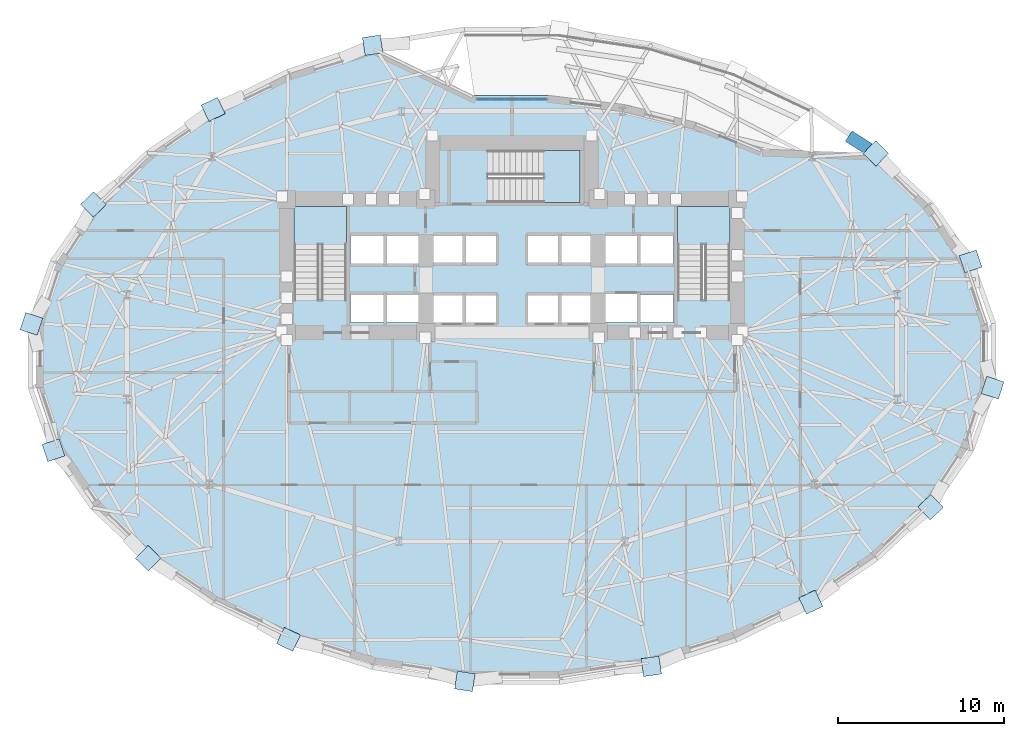
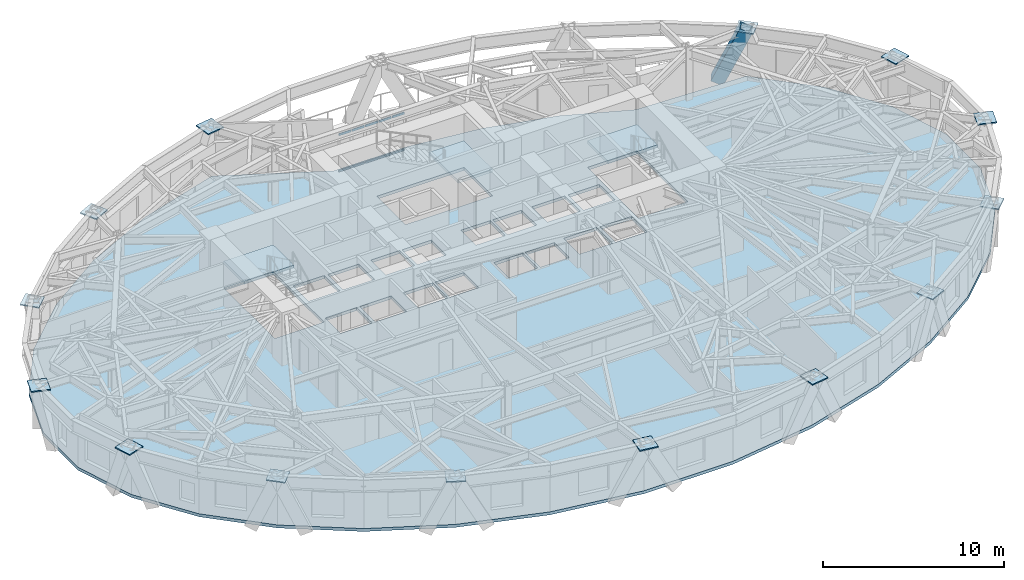
# One storey, part 6 of 15: 14 plates, 11 members, 4 slabs, 4 elements without a shape of their own.
"""IFC4 building model written with IfcOpenShell, lengths in metres."""

from ifc_helpers import new_model, si_unit, direction, frame, origin, origin_2d, place, context, subcontext, project, spatial, polyline, rectangle, hollow_rectangle, outline, extrude, material, layer, layer_set, material_profile, profile_set, type_object, element, aggregate, save


model = new_model("IFC4")

# Units and contexts
model_context = context("Model", 3, precision=1e-05, world=origin(), true_north=direction((0.0, 1.0)))
body_context = subcontext(model_context, "Body", "Model", "MODEL_VIEW")
ifc_project = project(units=[si_unit("LENGTHUNIT", "METRE"), si_unit("AREAUNIT", "SQUARE_METRE"), si_unit("VOLUMEUNIT", "CUBIC_METRE"), si_unit("PLANEANGLEUNIT", "RADIAN"), si_unit("MASSUNIT", "GRAM", prefix="KILO")], contexts=[model_context])

# Site, building, storey
site_placement = place(None, origin())
site = spatial("IfcSite", under=ifc_project, at=site_placement, CompositionType="ELEMENT")
building_placement = place(site_placement, origin())
building = spatial("IfcBuilding", under=site, at=building_placement, Name="Keldmark Tower", CompositionType="ELEMENT")
storey_placement = place(building_placement, frame((0.0, 0.0, 55.800048828125)))
storey = spatial("IfcBuildingStorey", under=building, at=storey_placement, Name="L14", CompositionType="ELEMENT", Elevation=55.800048828125)

# Curtain wall, members
ifc_material_1 = material(Name="Unitized Thermally Broken Aluminum and Triple Low-E Glazing", Category="aluminium")
ifc_layer_1 = layer(ifc_material_1, 0.219970703125)
ifc_layer_set_1 = layer_set([ifc_layer_1], Name="Unitized Thermally Broken Aluminum and Triple Low-E Glazing")
curtain_wall_type = type_object("IfcCurtainWallType", Name="Spiralling Sky-Garden Feature Curtain Wall System", PredefinedType="NOTDEFINED", material=ifc_layer_set_1)
curtain_wall_placement = place(storey_placement, origin())
curtain_wall = element("IfcCurtainWall", 1, at=curtain_wall_placement, inside=storey, type_object=curtain_wall_type, Name="L14 Spiralling Sky-Garden Feature Curtain Wall System CW-L14-08", PredefinedType="NOTDEFINED")
ifc_material_2 = material(Name="Extruded Aluminum Alloy 6063-T6", Category="aluminium")
ifc_material_profile_1 = material_profile(ifc_material_2, rectangle(XDim=0.06005859375, YDim=0.139892578125, at=origin_2d()), Name="CWT60X140")
ifc_profile_set_1 = profile_set([ifc_material_profile_1], Name="Extruded Aluminum Alloy 6063-T6")
member_type_1 = type_object("IfcMemberType", Name="Curtain Wall Horizontal Transom 60x140", PredefinedType="USERDEFINED", material=ifc_profile_set_1)
member_1_placement = place(storey_placement, frame((-2.08154296875, 15.484375, 0.030029296875), z_axis=(1.0, 0.0, 0.0), x_axis=(0.0, 1.0, 0.0)))
member_1 = element("IfcMember", 2, at=member_1_placement, type_object=member_type_1, Name="CW transom 1.1", ObjectType="TRANSOM", PredefinedType="USERDEFINED", context=body_context, shape_type="SweptSolid", body=[
    extrude(rectangle(XDim=0.06005859375, YDim=0.139892578125, at=origin_2d()), origin(), (0.0, 0.0, 1.0), 0.7666015625),
])
member_2_placement = place(storey_placement, frame((-2.08154296875, 15.484375, 2.4990234375), z_axis=(1.0, 0.0, 0.0), x_axis=(0.0, 1.0, 0.0)))
member_2 = element("IfcMember", 3, at=member_2_placement, type_object=member_type_1, Name="CW transom 1.2", ObjectType="TRANSOM", PredefinedType="USERDEFINED", context=body_context, shape_type="SweptSolid", body=[
    extrude(rectangle(XDim=0.06005859375, YDim=0.139892578125, at=origin_2d()), origin(), (0.0, 0.0, 1.0), 0.7666015625),
])
member_3_placement = place(storey_placement, frame((-1.2548828125, 15.484375, 0.030029296875), z_axis=(1.0, 0.0, 0.0), x_axis=(0.0, 1.0, 0.0)))
member_3 = element("IfcMember", 4, at=member_3_placement, type_object=member_type_1, Name="CW transom 2.1", ObjectType="TRANSOM", PredefinedType="USERDEFINED", context=body_context, shape_type="SweptSolid", body=[
    extrude(rectangle(XDim=0.06005859375, YDim=0.139892578125, at=origin_2d()), origin(), (0.0, 0.0, 1.0), 0.796630859375),
])
member_4_placement = place(storey_placement, frame((-1.2548828125, 15.484375, 2.4990234375), z_axis=(1.0, 0.0, 0.0), x_axis=(0.0, 1.0, 0.0)))
member_4 = element("IfcMember", 5, at=member_4_placement, type_object=member_type_1, Name="CW transom 2.2", ObjectType="TRANSOM", PredefinedType="USERDEFINED", context=body_context, shape_type="SweptSolid", body=[
    extrude(rectangle(XDim=0.06005859375, YDim=0.139892578125, at=origin_2d()), origin(), (0.0, 0.0, 1.0), 0.796630859375),
])
member_5_placement = place(storey_placement, frame((-0.3984375, 15.484375, 0.030029296875), z_axis=(1.0, 0.0, 0.0), x_axis=(0.0, 1.0, 0.0)))
member_5 = element("IfcMember", 6, at=member_5_placement, type_object=member_type_1, Name="CW transom 3.1", ObjectType="TRANSOM", PredefinedType="USERDEFINED", context=body_context, shape_type="SweptSolid", body=[
    extrude(rectangle(XDim=0.06005859375, YDim=0.139892578125, at=origin_2d()), origin(), (0.0, 0.0, 1.0), 0.796875),
])
member_6_placement = place(storey_placement, frame((-0.3984375, 15.484375, 2.4990234375), z_axis=(1.0, 0.0, 0.0), x_axis=(0.0, 1.0, 0.0)))
member_6 = element("IfcMember", 7, at=member_6_placement, type_object=member_type_1, Name="CW transom 3.2", ObjectType="TRANSOM", PredefinedType="USERDEFINED", context=body_context, shape_type="SweptSolid", body=[
    extrude(rectangle(XDim=0.06005859375, YDim=0.139892578125, at=origin_2d()), origin(), (0.0, 0.0, 1.0), 0.796875),
])
member_7_placement = place(storey_placement, frame((0.458251953125, 15.484375, 0.030029296875), z_axis=(1.0, 0.0, 0.0), x_axis=(0.0, 1.0, 0.0)))
member_7 = element("IfcMember", 8, at=member_7_placement, type_object=member_type_1, Name="CW transom 4.1", ObjectType="TRANSOM", PredefinedType="USERDEFINED", context=body_context, shape_type="SweptSolid", body=[
    extrude(rectangle(XDim=0.06005859375, YDim=0.139892578125, at=origin_2d()), origin(), (0.0, 0.0, 1.0), 0.796630859375),
])
member_8_placement = place(storey_placement, frame((0.458251953125, 15.484375, 2.4990234375), z_axis=(1.0, 0.0, 0.0), x_axis=(0.0, 1.0, 0.0)))
member_8 = element("IfcMember", 9, at=member_8_placement, type_object=member_type_1, Name="CW transom 4.2", ObjectType="TRANSOM", PredefinedType="USERDEFINED", context=body_context, shape_type="SweptSolid", body=[
    extrude(rectangle(XDim=0.06005859375, YDim=0.139892578125, at=origin_2d()), origin(), (0.0, 0.0, 1.0), 0.796630859375),
])
member_9_placement = place(storey_placement, frame((1.31494140625, 15.484375, 0.030029296875), z_axis=(1.0, 0.0, 0.0), x_axis=(0.0, 1.0, 0.0)))
member_9 = element("IfcMember", 10, at=member_9_placement, type_object=member_type_1, Name="CW transom 5.1", ObjectType="TRANSOM", PredefinedType="USERDEFINED", context=body_context, shape_type="SweptSolid", body=[
    extrude(rectangle(XDim=0.06005859375, YDim=0.139892578125, at=origin_2d()), origin(), (0.0, 0.0, 1.0), 0.7666015625),
])
member_10_placement = place(storey_placement, frame((1.31494140625, 15.484375, 2.4990234375), z_axis=(1.0, 0.0, 0.0), x_axis=(0.0, 1.0, 0.0)))
member_10 = element("IfcMember", 11, at=member_10_placement, type_object=member_type_1, Name="CW transom 5.2", ObjectType="TRANSOM", PredefinedType="USERDEFINED", context=body_context, shape_type="SweptSolid", body=[
    extrude(rectangle(XDim=0.06005859375, YDim=0.139892578125, at=origin_2d()), origin(), (0.0, 0.0, 1.0), 0.7666015625),
])
aggregate(curtain_wall, [member_1, member_2, member_3, member_4, member_5, member_6, member_7, member_8, member_9, member_10])

# Member
ifc_material_3 = material(Name="Steel ASTM A572 Grade 50", Category="steel")
ifc_material_profile_2 = material_profile(ifc_material_3, hollow_rectangle(XDim=0.75, YDim=0.75, WallThickness=0.06494140625, at=origin_2d()), Name="BOX750X750X65")
ifc_profile_set_2 = profile_set([ifc_material_profile_2], Name="Steel ASTM A572 Grade 50")
member_type_2 = type_object("IfcMemberType", Name="Diagrid Lower Brace BOX750X750X65", PredefinedType="BRACE", material=ifc_profile_set_2)
member_11_placement = place(storey_placement, frame((20.60546875, 13.07177734375, -0.280029296875), z_axis=(0.346757352417, -0.221629699292, 0.911394324613), x_axis=(0.538545053134, 0.842596715959, 0.0)))
element("IfcMember", 12, at=member_11_placement, inside=storey, type_object=member_type_2, Name="L14 Perimeter Diagrid Brace 02B", PredefinedType="BRACE", context=body_context, shape_type="SweptSolid", body=[
    extrude(hollow_rectangle(XDim=0.75, YDim=0.75, WallThickness=0.06494140625, at=origin_2d()), origin(), (0.0, 0.0, 1.0), 3.90625),
])

# Plates
ifc_material_4 = material(Name="Steel ASTM A572 Grade 50", Category="steel")
ifc_layer_2 = layer(ifc_material_4, 0.074951171875)
ifc_layer_set_2 = layer_set([ifc_layer_2], Name="Steel ASTM A572 Grade 50")
plate_type = type_object("IfcPlateType", Name="Diagrid Node Assembly DN01 75 mm", PredefinedType="USERDEFINED", material=ifc_layer_set_2)
for number, where, z_axis, x_axis, name in (
    (13, (27.66845703125, 5.696533203125, 3.24267578125), (0.0, 0.0, 1.0), (-0.313163806484, 0.949699126202, 0.0), "L14 Diagrid Node Assembly 01"),
    (14, (21.953369140625, 12.2158203125, 3.24267578125), (0.0, 0.0, 1.0), (-0.719945730144, 0.694030363635, 0.0), "L14 Diagrid Node Assembly 03"),
    (15, (-8.4052734375, 18.739013671875, 3.24267578125), (0.0, 0.0, 1.0), (-0.988704123128, -0.149880475413, 0.0), "L14 Diagrid Node Assembly 09"),
    (16, (-18.03173828125, 14.866455078125, 3.24267578125), (0.0, 0.0, 1.0), (-0.902660408963, -0.430353559402, 0.0), "L14 Diagrid Node Assembly 11"),
    (17, (-25.257080078125, 9.13134765625, 3.24267578125), (0.0, 0.0, 1.0), (-0.719945730144, -0.694030363635, 0.0), "L14 Diagrid Node Assembly 13"),
    (18, (-29.00048828125, 1.9228515625, 3.24267578125), (0.0, 0.0, 1.0), (-0.313163806484, -0.949699126202, 0.0), "L14 Diagrid Node Assembly 15"),
    (19, (-27.66845703125, -5.696533203125, 3.24267578125), (0.0, 0.0, 1.0), (0.313163806484, -0.949699126202, 0.0), "L14 Diagrid Node Assembly 17"),
    (20, (-21.953369140625, -12.2158203125, 3.24267578125), (0.0, 0.0, 1.0), (0.719945730144, -0.694030363635, 0.0), "L14 Diagrid Node Assembly 19"),
    (21, (-13.48681640625, -17.1083984375, 3.24267578125), (0.0, 0.0, 1.0), (0.902660408963, -0.430353559402, 0.0), "L14 Diagrid Node Assembly 21"),
    (22, (-2.844482421875, -19.642822265625, 3.24267578125), (0.0, 0.0, 1.0), (0.988704123128, -0.149880475413, 0.0), "L14 Diagrid Node Assembly 23"),
    (23, (8.4052734375, -18.739013671875, 3.24267578125), (0.0, 0.0, 1.0), (0.988704123128, 0.149880475413, 0.0), "L14 Diagrid Node Assembly 25"),
    (24, (18.03173828125, -14.866455078125, 3.24267578125), (0.0, 0.0, 1.0), (0.902660408963, 0.430353559402, 0.0), "L14 Diagrid Node Assembly 27"),
    (25, (25.257080078125, -9.13134765625, 3.24267578125), (0.0, 0.0, 1.0), (0.719945730144, 0.694030363635, 0.0), "L14 Diagrid Node Assembly 29"),
    (26, (29.00048828125, -1.9228515625, 3.24267578125), (0.0, 0.0, 1.0), (0.313163806484, 0.949699126202, 0.0), "L14 Diagrid Node Assembly 31"),
):
    element("IfcPlate", number, at=place(storey_placement, frame(where, z_axis=z_axis, x_axis=x_axis)), inside=storey, type_object=plate_type, Name=name, ObjectType="GUSSET", PredefinedType="USERDEFINED", context=body_context, shape_type="SweptSolid", body=[
        extrude(rectangle(XDim=1.090087890625, YDim=1.090087890625, at=origin_2d()), origin(), (0.0, 0.0, 1.0), 0.074951171875),
    ])

# Slab
ifc_material_5 = material(Name="Concrete C35/45", Category="concrete")
ifc_layer_3 = layer(ifc_material_5, 0.199951171875)
ifc_layer_set_3 = layer_set([ifc_layer_3], Name="Concrete C35/45")
slab_type_1 = type_object("IfcSlabType", Name="Low-Rise Office Composite Slab 200 mm", PredefinedType="FLOOR", material=ifc_layer_set_3)
slab_1_placement = place(storey_placement, frame((0.0, 0.0, -0.199951171875)))
element("IfcSlab", 27, at=slab_1_placement, inside=storey, type_object=slab_type_1, Name="L14 Composite Structural Floor Slab", PredefinedType="FLOOR", context=body_context, shape_type="SweptSolid", body=[
    extrude(outline(polyline([(28.713623046875, 1.9169921875), (27.482177734375, 5.6513671875), (25.17724609375, 9.122802734375), (21.964599609375, 12.2197265625), (15.09619140625, 12.4697265625), (11.104736328125, 14.08349609375), (6.784423828125, 15.16162109375), (2.281494140625, 15.704345703125), (-2.281494140625, 15.704345703125), (-8.336669921875, 18.630126953125), (-13.45751953125, 17.067626953125), (-18.02587890625, 14.889892578125), (-21.964599609375, 12.2197265625), (-25.17724609375, 9.122802734375), (-27.482177734375, 5.6513671875), (-28.713623046875, 1.9169921875), (-28.713623046875, -1.9169921875), (-27.482177734375, -5.6513671875), (-25.17724609375, -9.122802734375), (-21.964599609375, -12.2197265625), (-18.02587890625, -14.889892578125), (-13.45751953125, -17.067626953125), (-8.336669921875, -18.630126953125), (-2.827880859375, -19.46484375), (2.827880859375, -19.46484375), (8.336669921875, -18.630126953125), (13.45751953125, -17.067626953125), (18.02587890625, -14.889892578125), (21.964599609375, -12.2197265625), (25.17724609375, -9.122802734375), (27.482177734375, -5.6513671875), (28.713623046875, -1.9169921875), (28.713623046875, 1.9169921875)]), holes=[polyline([(-10.0, 3.385009765625), (-10.0, 9.0), (-13.14990234375, 9.0), (-13.14990234375, 3.385009765625), (-10.0, 3.385009765625)]), polyline([(13.14990234375, 3.385009765625), (13.14990234375, 9.0), (10.0, 9.0), (10.0, 3.385009765625), (13.14990234375, 3.385009765625)]), polyline([(-1.43994140625, 9.25), (4.10498046875, 9.25), (4.10498046875, 12.39990234375), (-1.43994140625, 12.39990234375), (-1.43994140625, 9.25)]), polyline([(-9.75, 2.0), (-7.75, 2.0), (-7.75, 3.699951171875), (-9.75, 3.699951171875), (-9.75, 2.0)]), polyline([(7.75, 2.0), (9.75, 2.0), (9.75, 3.699951171875), (7.75, 3.699951171875), (7.75, 2.0)]), polyline([(5.449951171875, 2.0), (7.550048828125, 2.0), (7.550048828125, 3.75), (5.449951171875, 3.75), (5.449951171875, 2.0)]), polyline([(-4.800048828125, 2.0), (-2.949951171875, 2.0), (-2.949951171875, 3.64990234375), (-4.800048828125, 3.64990234375), (-4.800048828125, 2.0)]), polyline([(-2.800048828125, 2.0), (-0.949951171875, 2.0), (-0.949951171875, 3.64990234375), (-2.800048828125, 3.64990234375), (-2.800048828125, 2.0)]), polyline([(0.949951171875, 2.0), (2.800048828125, 2.0), (2.800048828125, 3.64990234375), (0.949951171875, 3.64990234375), (0.949951171875, 2.0)]), polyline([(2.949951171875, 2.0), (4.800048828125, 2.0), (4.800048828125, 3.64990234375), (2.949951171875, 3.64990234375), (2.949951171875, 2.0)]), polyline([(-4.800048828125, 5.60009765625), (-2.949951171875, 5.60009765625), (-2.949951171875, 7.25), (-4.800048828125, 7.25), (-4.800048828125, 5.60009765625)]), polyline([(-2.800048828125, 5.60009765625), (-0.949951171875, 5.60009765625), (-0.949951171875, 7.25), (-2.800048828125, 7.25), (-2.800048828125, 5.60009765625)]), polyline([(0.949951171875, 5.60009765625), (2.800048828125, 5.60009765625), (2.800048828125, 7.25), (0.949951171875, 7.25), (0.949951171875, 5.60009765625)]), polyline([(2.949951171875, 5.60009765625), (4.800048828125, 5.60009765625), (4.800048828125, 7.25), (2.949951171875, 7.25), (2.949951171875, 5.60009765625)]), polyline([(-9.75, 5.550048828125), (-7.75, 5.550048828125), (-7.75, 7.25), (-9.75, 7.25), (-9.75, 5.550048828125)]), polyline([(-7.550048828125, 5.550048828125), (-5.550048828125, 5.550048828125), (-5.550048828125, 7.25), (-7.550048828125, 7.25), (-7.550048828125, 5.550048828125)]), polyline([(-7.550048828125, 2.0), (-5.550048828125, 2.0), (-5.550048828125, 3.699951171875), (-7.550048828125, 3.699951171875), (-7.550048828125, 2.0)]), polyline([(5.449951171875, 5.550048828125), (7.550048828125, 5.550048828125), (7.550048828125, 7.25), (5.449951171875, 7.25), (5.449951171875, 5.550048828125)]), polyline([(7.75, 5.550048828125), (9.75, 5.550048828125), (9.75, 7.25), (7.75, 7.25), (7.75, 5.550048828125)])]), origin(), (0.0, 0.0, 1.0), 0.199951171875),
])

# Stair, slab
ifc_material_6 = material(Name="Concrete C40/50", Category="concrete")
stair_type = type_object("IfcStairType", Name="Precast Concrete Core Exit Stair", PredefinedType="HALF_TURN_STAIR", material=ifc_material_6)
stair_1_placement = place(storey_placement, origin())
stair_1 = element("IfcStair", 28, at=stair_1_placement, inside=storey, type_object=stair_type, Name="L14 Exit Stair ST1", PredefinedType="HALF_TURN_STAIR")
ifc_material_7 = material(Name="Concrete C40/50", Category="concrete")
ifc_layer_4 = layer(ifc_material_7, 0.199951171875)
ifc_layer_set_4 = layer_set([ifc_layer_4], Name="Concrete C40/50")
slab_type_2 = type_object("IfcSlabType", Name="Reinforced Concrete Stair Landing 200 mm", PredefinedType="LANDING", material=ifc_layer_set_4)
slab_2_placement = place(storey_placement, frame((0.0, 0.0, 1.599853515625)))
slab_2 = element("IfcSlab", 29, at=slab_2_placement, type_object=slab_type_2, Name="ST1 landing 1", PredefinedType="LANDING", context=body_context, shape_type="SweptSolid", body=[
    extrude(outline(polyline([(-10.0, 6.72998046875), (-10.0, 9.0), (-13.14990234375, 9.0), (-13.14990234375, 6.72998046875), (-10.0, 6.72998046875)])), origin(), (0.0, 0.0, 1.0), 0.2001953125),
])
aggregate(stair_1, [slab_2])

stair_2_placement = place(storey_placement, origin())
stair_2 = element("IfcStair", 30, at=stair_2_placement, inside=storey, type_object=stair_type, Name="L14 Exit Stair ST2", PredefinedType="HALF_TURN_STAIR")
slab_3_placement = place(storey_placement, frame((0.0, 0.0, 1.599853515625)))
slab_3 = element("IfcSlab", 31, at=slab_3_placement, type_object=slab_type_2, Name="ST2 landing 1", PredefinedType="LANDING", context=body_context, shape_type="SweptSolid", body=[
    extrude(outline(polyline([(13.14990234375, 6.72998046875), (13.14990234375, 9.0), (10.0, 9.0), (10.0, 6.72998046875), (13.14990234375, 6.72998046875)])), origin(), (0.0, 0.0, 1.0), 0.2001953125),
])
aggregate(stair_2, [slab_3])

stair_3_placement = place(storey_placement, origin())
stair_3 = element("IfcStair", 32, at=stair_3_placement, inside=storey, type_object=stair_type, Name="L14 Exit Stair ST3", PredefinedType="HALF_TURN_STAIR")
slab_4_placement = place(storey_placement, frame((0.0, 0.0, 1.599853515625)))
slab_4 = element("IfcSlab", 33, at=slab_4_placement, type_object=slab_type_2, Name="ST3 landing 1", PredefinedType="LANDING", context=body_context, shape_type="SweptSolid", body=[
    extrude(outline(polyline([(1.905029296875, 9.25), (4.10498046875, 9.25), (4.10498046875, 12.39990234375), (1.905029296875, 12.39990234375), (1.905029296875, 9.25)])), origin(), (0.0, 0.0, 1.0), 0.2001953125),
])
aggregate(stair_3, [slab_4])

save(model, "model.ifc")
